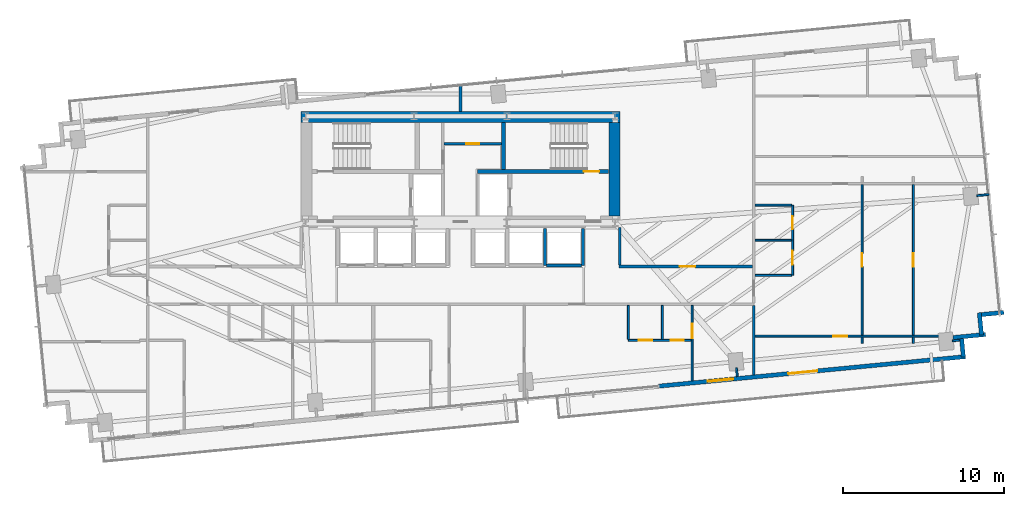
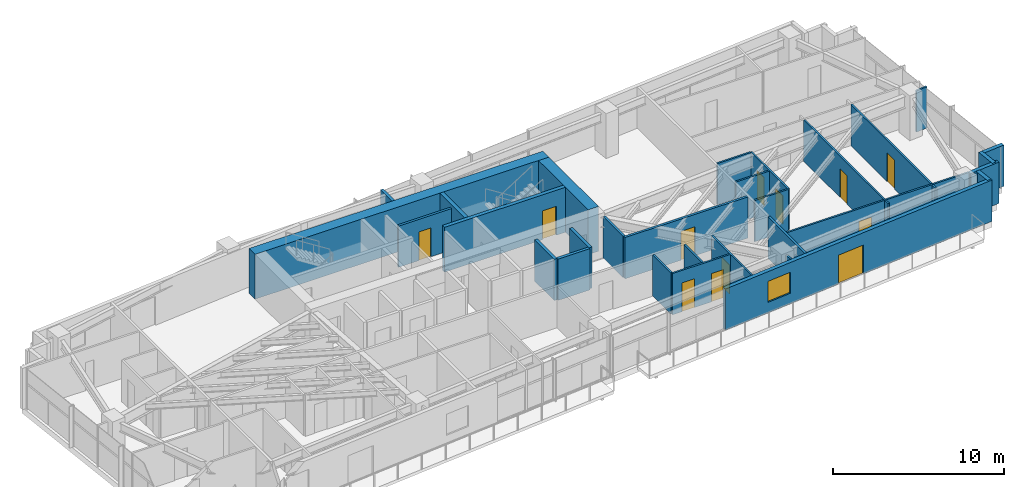
# One storey, part 21 of 25: 33 walls, 12 doors, 1 window, 13 openings.
"""IFC4 building model written with IfcOpenShell, lengths in metres."""

from ifc_helpers import new_model, si_unit, direction, frame, frame_2d, origin, place, context, subcontext, project, spatial, rectangle, extrude, source, transform, mapped, material, layer, layer_set, type_object, type_shapes, element, fill, save


model = new_model("IFC4")

# Units and contexts
model_context = context("Model", 3, precision=1e-05, world=origin(), true_north=direction((0.0, 1.0)))
body_context = subcontext(model_context, "Body", "Model", "MODEL_VIEW")
ifc_project = project(units=[si_unit("LENGTHUNIT", "METRE"), si_unit("AREAUNIT", "SQUARE_METRE"), si_unit("VOLUMEUNIT", "CUBIC_METRE"), si_unit("PLANEANGLEUNIT", "RADIAN"), si_unit("MASSUNIT", "GRAM", prefix="KILO")], contexts=[model_context])

# Site, building, storey
site_placement = place(None, origin())
site = spatial("IfcSite", under=ifc_project, at=site_placement, CompositionType="ELEMENT")
building_placement = place(site_placement, origin())
building = spatial("IfcBuilding", under=site, at=building_placement, Name="Astriad Promenade Condominiums", CompositionType="ELEMENT")
storey_placement = place(building_placement, frame((0.0, 0.0, 77.800048828125)))
storey = spatial("IfcBuildingStorey", under=building, at=storey_placement, Name="L21", CompositionType="ELEMENT", Elevation=77.800048828125)

# Walls
ifc_material_1 = material(Name="Concrete C60/75", Category="concrete")
ifc_layer_1 = layer(ifc_material_1, 0.699951171875)
ifc_layer_set_1 = layer_set([ifc_layer_1], Name="Concrete C60/75")
wall_type_1 = type_object("IfcWallType", Name="CW-SHEAR-700", PredefinedType="SHEAR", material=ifc_layer_set_1)
wall_1_placement = place(storey_placement, frame((26.10009765625, 23.949951171875, 0.0), z_axis=(0.0, 0.0, 1.0), x_axis=(1.0, 0.0, 0.0)))
element("IfcWall", 1, at=wall_1_placement, inside=storey, type_object=wall_type_1, Name="CW-CORE-N-L21", PredefinedType="SHEAR", context=body_context, shape_type="SweptSolid", body=[
    extrude(rectangle(XDim=19.7998046875, YDim=0.699951171875, at=frame_2d((9.89990234375, 0.0))), origin(), (0.0, 0.0, 1.0), 3.199951171875),
])
wall_2_placement = place(storey_placement, frame((45.550048828125, 17.802001953125, 0.0), z_axis=(0.0, 0.0, 1.0), x_axis=(0.0, 1.0, 0.0)))
element("IfcWall", 2, at=wall_2_placement, inside=storey, type_object=wall_type_1, Name="CW-CORE-E-L21", PredefinedType="SHEAR", context=body_context, shape_type="SweptSolid", body=[
    extrude(rectangle(XDim=5.7958984375, YDim=0.699951171875, at=frame_2d((2.89794921875, 0.0))), origin(), (0.0, 0.0, 1.0), 3.199951171875),
])

# Wall, opening, door
ifc_material_2 = material(Name="Concrete C50/60", Category="concrete")
ifc_layer_2 = layer(ifc_material_2, 0.25)
ifc_layer_set_2 = layer_set([ifc_layer_2], Name="Concrete C50/60")
wall_type_2 = type_object("IfcWallType", Name="WALL-CORE-INT-250", PredefinedType="SOLIDWALL", material=ifc_layer_set_2)
wall_3_placement = place(storey_placement, frame((37.050048828125, 20.574951171875, 0.0), z_axis=(0.0, 0.0, 1.0), x_axis=(1.0, 0.0, 0.0)))
wall_3 = element("IfcWall", 3, at=wall_3_placement, inside=storey, type_object=wall_type_2, Name="CW-INT-H2-L21", PredefinedType="SOLIDWALL", context=body_context, shape_type="SweptSolid", body=[
    extrude(rectangle(XDim=8.14794921875, YDim=0.25, at=frame_2d((4.073974609375, 0.0))), origin(), (0.0, 0.0, 1.0), 3.199951171875),
])
opening_1_placement = place(wall_3_placement, frame((6.60009765625, 0.0, 0.0)))
opening_1 = element("IfcOpeningElement", 4, at=opening_1_placement, cuts=wall_3, Name="Opening FD90-ST-095", PredefinedType="OPENING", context=body_context, shape_type="SweptSolid", body=[
    extrude(rectangle(XDim=0.949951171875, YDim=2.06005859375, at=frame_2d((0.47509765625, 1.030029296875))), frame((0.0, 0.135009765625, 0.0), z_axis=(0.0, -1.0, 0.0), x_axis=(1.0, 0.0, 0.0)), (0.0, 0.0, 1.0), 0.27001953125),
])
ifc_material_3 = material(Name="Fire-Rated Hollow Metal Stair Door")
door_type_1 = type_object("IfcDoorType", Name="FD90-ST-095", OperationType="NOTDEFINED", PredefinedType="DOOR", material=ifc_material_3)
shared_shape_1 = source(origin(), body_context, "Body", "SweptSolid", [
    extrude(rectangle(XDim=0.949951171875, YDim=2.06005859375, at=frame_2d((0.47509765625, 1.030029296875))), frame((0.0, 0.02490234375, 0.0), z_axis=(0.0, -1.0, 0.0), x_axis=(1.0, 0.0, 0.0)), (0.0, 0.0, 1.0), 0.050048828125),
])
type_shapes(door_type_1, [shared_shape_1])
door_1_placement = place(opening_1_placement, origin())
door_1 = element("IfcDoor", 5, at=door_1_placement, inside=storey, type_object=door_type_1, Name="D-ST2-L21", OperationType="SINGLE_SWING_LEFT", OverallHeight=2.06005859375, OverallWidth=0.949951171875, PredefinedType="DOOR", context=body_context, shape_type="MappedRepresentation", body=[
    mapped(shared_shape_1, transform((0.0, 0.0, 0.0), scale=1.0)),
])
fill(opening_1, door_1)

# Wall
wall_4_placement = place(storey_placement, frame((38.675048828125, 20.701904296875, 0.0), z_axis=(0.0, 0.0, 1.0), x_axis=(0.0, 1.0, 0.0)))
element("IfcWall", 6, at=wall_4_placement, inside=storey, type_object=wall_type_2, Name="CW-ST2-W-L21", PredefinedType="SOLIDWALL", context=body_context, shape_type="SweptSolid", body=[
    extrude(rectangle(XDim=2.89599609375, YDim=0.25, at=frame_2d((1.447998046875, 0.0))), origin(), (0.0, 0.0, 1.0), 3.199951171875),
])

# Wall, opening, door
ifc_material_4 = material(Name="Fire-Rated Gypsum Partition")
ifc_layer_3 = layer(ifc_material_4, 0.159912109375)
ifc_layer_set_3 = layer_set([ifc_layer_3], Name="Fire-Rated Gypsum Partition")
wall_type_3 = type_object("IfcWallType", Name="WALL-CORR-160", PredefinedType="PARTITIONING", material=ifc_layer_set_3)
wall_5_placement = place(storey_placement, frame((34.98193359375, 22.300048828125, 0.0), z_axis=(0.0, 0.0, 1.0), x_axis=(1.0, 0.0, 0.0)))
wall_5 = element("IfcWall", 7, at=wall_5_placement, inside=storey, type_object=wall_type_3, Name="CW-AUX-N-L21", PredefinedType="PARTITIONING", context=body_context, shape_type="SweptSolid", body=[
    extrude(rectangle(XDim=3.566162109375, YDim=0.159912109375, at=frame_2d((1.783203125, 0.0))), origin(), (0.0, 0.0, 1.0), 2.93994140625),
])
opening_2_placement = place(wall_5_placement, frame((1.3779296875, 0.0, 0.0)))
opening_2 = element("IfcOpeningElement", 8, at=opening_2_placement, cuts=wall_5, Name="Opening FD60-SV-080", PredefinedType="OPENING", context=body_context, shape_type="SweptSolid", body=[
    extrude(rectangle(XDim=0.800048828125, YDim=2.050048828125, at=frame_2d((0.39990234375, 1.02490234375))), frame((0.0, 0.08984375, 0.0), z_axis=(0.0, -1.0, 0.0), x_axis=(1.0, 0.0, 0.0)), (0.0, 0.0, 1.0), 0.179931640625),
])
ifc_material_5 = material(Name="Fire-Rated Riser Closet Door")
door_type_2 = type_object("IfcDoorType", Name="FD60-SV-080", OperationType="NOTDEFINED", PredefinedType="DOOR", material=ifc_material_5)
shared_shape_2 = source(origin(), body_context, "Body", "SweptSolid", [
    extrude(rectangle(XDim=0.800048828125, YDim=2.050048828125, at=frame_2d((0.39990234375, 1.02490234375))), frame((0.0, 0.02490234375, 0.0), z_axis=(0.0, -1.0, 0.0), x_axis=(1.0, 0.0, 0.0)), (0.0, 0.0, 1.0), 0.050048828125),
])
type_shapes(door_type_2, [shared_shape_2])
door_2_placement = place(opening_2_placement, origin())
door_2 = element("IfcDoor", 9, at=door_2_placement, inside=storey, type_object=door_type_2, Name="D-AUX2-L21", OperationType="SINGLE_SWING_LEFT", OverallHeight=2.050048828125, OverallWidth=0.800048828125, PredefinedType="DOOR", context=body_context, shape_type="MappedRepresentation", body=[
    mapped(shared_shape_2, transform((0.0, 0.0, 0.0), scale=1.0)),
])
fill(opening_2, door_2)

# Wall
wall_6_placement = place(storey_placement, frame((54.199951171875, 7.961181640625, 0.0), z_axis=(0.0, 0.0, 1.0), x_axis=(0.0, 1.0, 0.0)))
element("IfcWall", 10, at=wall_6_placement, inside=storey, type_object=wall_type_3, Name="PT-COR-E-L21", PredefinedType="PARTITIONING", context=body_context, shape_type="SweptSolid", body=[
    extrude(rectangle(XDim=4.306884765625, YDim=0.159912109375, at=frame_2d((2.1533203125, 0.0))), origin(), (0.0, 0.0, 1.0), 2.93994140625),
])

# Wall, opening, door
wall_7_placement = place(storey_placement, frame((45.840087890625, 14.679931640625, 0.0), z_axis=(0.0, 0.0, 1.0), x_axis=(1.0, 0.0, 0.0)))
wall_7 = element("IfcWall", 11, at=wall_7_placement, inside=storey, type_object=wall_type_3, Name="PT-FLK-NE-L21", PredefinedType="PARTITIONING", context=body_context, shape_type="SweptSolid", body=[
    extrude(rectangle(XDim=8.27783203125, YDim=0.159912109375, at=frame_2d((4.138916015625, 0.0))), origin(), (0.0, 0.0, 1.0), 2.93994140625),
])
opening_3_placement = place(wall_7_placement, frame((3.764892578125, 0.0, 0.0)))
opening_3 = element("IfcOpeningElement", 12, at=opening_3_placement, cuts=wall_7, Name="Opening FD60-APT-095", PredefinedType="OPENING", context=body_context, shape_type="SweptSolid", body=[
    extrude(rectangle(XDim=0.949951171875, YDim=2.06005859375, at=frame_2d((0.47509765625, 1.030029296875))), frame((0.0, 0.08984375, 0.0), z_axis=(0.0, -1.0, 0.0), x_axis=(1.0, 0.0, 0.0)), (0.0, 0.0, 1.0), 0.179931640625),
])
ifc_material_6 = material(Name="Solid-Core Acoustic Timber Residence Entry Door", Category="wood")
door_type_3 = type_object("IfcDoorType", Name="FD60-APT-095", OperationType="NOTDEFINED", PredefinedType="DOOR", material=ifc_material_6)
shared_shape_3 = source(origin(), body_context, "Body", "SweptSolid", [
    extrude(rectangle(XDim=0.949951171875, YDim=2.06005859375, at=frame_2d((0.47509765625, 1.030029296875))), frame((0.0, 0.02490234375, 0.0), z_axis=(0.0, -1.0, 0.0), x_axis=(1.0, 0.0, 0.0)), (0.0, 0.0, 1.0), 0.050048828125),
])
type_shapes(door_type_3, [shared_shape_3])
door_3_placement = place(opening_3_placement, origin())
door_3 = element("IfcDoor", 13, at=door_3_placement, inside=storey, type_object=door_type_3, Name="D-NEA-L21", OperationType="SINGLE_SWING_RIGHT", OverallHeight=2.06005859375, OverallWidth=0.949951171875, PredefinedType="DOOR", context=body_context, shape_type="MappedRepresentation", body=[
    mapped(shared_shape_3, transform((0.0, 0.0, 0.0), scale=1.0)),
])
fill(opening_3, door_3)

# Walls
wall_8_placement = place(storey_placement, frame((45.8798828125, 14.761962890625, 0.0), z_axis=(0.0, 0.0, 1.0), x_axis=(0.0, 1.0, 0.0)))
element("IfcWall", 14, at=wall_8_placement, inside=storey, type_object=wall_type_3, Name="PT-ESPUR-E-L21", PredefinedType="PARTITIONING", context=body_context, shape_type="SweptSolid", body=[
    extrude(rectangle(XDim=2.3359375, YDim=0.159912109375, at=frame_2d((1.16796875, 0.0))), origin(), (0.0, 0.0, 1.0), 2.93994140625),
])
ifc_material_7 = material(Name="Acoustic Double-Stud Gypsum Partition")
ifc_layer_4 = layer(ifc_material_7, 0.199951171875)
ifc_layer_set_4 = layer_set([ifc_layer_4], Name="Acoustic Double-Stud Gypsum Partition")
wall_type_4 = type_object("IfcWallType", Name="WALL-DEMISING-200", PredefinedType="PARTITIONING", material=ifc_layer_set_4)
wall_9_placement = place(storey_placement, frame((36.0, 24.302001953125, 0.0), z_axis=(0.0, 0.0, 1.0), x_axis=(0.0, 1.0, 0.0)))
element("IfcWall", 15, at=wall_9_placement, inside=storey, type_object=wall_type_4, Name="PT-NC-MID-L21", PredefinedType="PARTITIONING", context=body_context, shape_type="SweptSolid", body=[
    extrude(rectangle(XDim=1.65576171875, YDim=0.199951171875, at=frame_2d((0.827880859375, 0.0))), origin(), (0.0, 0.0, 1.0), 2.93994140625),
])
ifc_material_8 = material(Name="Precast concrete C50/60", Category="concrete")
ifc_layer_5 = layer(ifc_material_8, 0.260009765625)
ifc_layer_set_5 = layer_set([ifc_layer_5], Name="Precast concrete C50/60")
wall_type_5 = type_object("IfcWallType", Name="WALL-EXT-TWR-260", PredefinedType="STANDARD", material=ifc_layer_set_5)
for number, where, z_axis, x_axis, name in (
    (16, (69.698486328125, 11.83251953125, 0.0), (0.0, 0.0, 1.0), (-0.99540614245, -0.095742423056, 0.0), "W-SER-L21-14"),
    (17, (68.18310546875, 11.817138671875, 0.0), (0.0, 0.0, 1.0), (0.095915846097, -0.995389446633, 0.0), "W-SER-L21-15"),
):
    element("IfcWall", number, at=place(storey_placement, frame(where, z_axis=z_axis, x_axis=x_axis)), inside=storey, type_object=wall_type_5, Name=name, PredefinedType="STANDARD", context=body_context, shape_type="SweptSolid", body=[
        extrude(rectangle(XDim=1.394775390625, YDim=0.260009765625, at=frame_2d((0.697265625, 0.0))), origin(), (0.0, 0.0, 1.0), 2.93994140625),
    ])
wall_10_placement = place(storey_placement, frame((68.57421875, 10.468505859375, 0.0), z_axis=(0.0, 0.0, 1.0), x_axis=(-0.99539865733, -0.095820211783, 0.0)))
element("IfcWall", 18, at=wall_10_placement, inside=storey, type_object=wall_type_5, Name="W-SER-L21-16", PredefinedType="STANDARD", context=body_context, shape_type="SweptSolid", body=[
    extrude(rectangle(XDim=2.028076171875, YDim=0.260009765625, at=frame_2d((1.01416015625, 0.0))), origin(), (0.0, 0.0, 1.0), 2.93994140625),
])
wall_11_placement = place(storey_placement, frame((67.082275390625, 10.209228515625, 0.0), z_axis=(0.0, 0.0, 1.0), x_axis=(0.09576095695, -0.995404359607, 0.0)))
element("IfcWall", 19, at=wall_11_placement, inside=storey, type_object=wall_type_5, Name="W-SER-L21-17", PredefinedType="STANDARD", context=body_context, shape_type="SweptSolid", body=[
    extrude(rectangle(XDim=1.14990234375, YDim=0.260009765625, at=frame_2d((0.574951171875, 0.0))), origin(), (0.0, 0.0, 1.0), 2.93994140625),
])

# Wall, openings, door, window
wall_12_placement = place(storey_placement, frame((67.3203125, 9.092041015625, 0.0), z_axis=(0.0, 0.0, 1.0), x_axis=(-0.995396521236, -0.095842399342, 0.0)))
wall_12 = element("IfcWall", 20, at=wall_12_placement, inside=storey, type_object=wall_type_5, Name="W-EXT-L21-S1", PredefinedType="STANDARD", context=body_context, shape_type="SweptSolid", body=[
    extrude(rectangle(XDim=19.10986328125, YDim=0.260009765625, at=frame_2d((9.554931640625, 0.0))), origin(), (0.0, 0.0, 1.0), 2.93994140625),
])
opening_4_placement = place(wall_12_placement, frame((9.22412109375, 0.0, 0.0)))
opening_4 = element("IfcOpeningElement", 21, at=opening_4_placement, cuts=wall_12, Name="Opening BD-1822-SLD", PredefinedType="OPENING", context=body_context, shape_type="SweptSolid", body=[
    extrude(rectangle(XDim=1.800048828125, YDim=2.06005859375, at=frame_2d((0.89990234375, 1.030029296875))), frame((0.0, 0.139892578125, 0.0), z_axis=(0.0, -1.0, 0.0), x_axis=(1.0, 0.0, 0.0)), (0.0, 0.0, 1.0), 0.280029296875),
])
opening_5_placement = place(wall_12_placement, frame((14.465087890625, 0.0, 0.75)))
opening_5 = element("IfcOpeningElement", 22, at=opening_5_placement, cuts=wall_12, Name="Opening WIN-TWR-1620", PredefinedType="OPENING", context=body_context, shape_type="SweptSolid", body=[
    extrude(rectangle(XDim=1.60009765625, YDim=1.5, at=frame_2d((0.800048828125, 0.75))), frame((0.0, 0.139892578125, 0.0), z_axis=(0.0, -1.0, 0.0), x_axis=(1.0, 0.0, 0.0)), (0.0, 0.0, 1.0), 0.280029296875),
])
ifc_material_9 = material(Name="Thermally Broken Aluminium Sliding Balcony Door", Category="aluminium")
door_type_4 = type_object("IfcDoorType", Name="BD-1822-SLD", OperationType="NOTDEFINED", PredefinedType="DOOR", material=ifc_material_9)
shared_shape_4 = source(origin(), body_context, "Body", "SweptSolid", [
    extrude(rectangle(XDim=1.800048828125, YDim=2.06005859375, at=frame_2d((0.89990234375, 1.030029296875))), frame((0.0, 0.02490234375, 0.0), z_axis=(0.0, -1.0, 0.0), x_axis=(1.0, 0.0, 0.0)), (0.0, 0.0, 1.0), 0.050048828125),
])
type_shapes(door_type_4, [shared_shape_4])
door_4_placement = place(opening_4_placement, origin())
door_4 = element("IfcDoor", 23, at=door_4_placement, inside=storey, type_object=door_type_4, Name="BD-L21-SE", OperationType="SLIDING_TO_RIGHT", OverallHeight=2.06005859375, OverallWidth=1.800048828125, PredefinedType="DOOR", context=body_context, shape_type="MappedRepresentation", body=[
    mapped(shared_shape_4, transform((0.0, 0.0, 0.0), scale=1.0)),
])
fill(opening_4, door_4)
ifc_material_10 = material(Name="Dark Tinted Triple-Glazed Aluminium Window", Category="aluminium")
window_type = type_object("IfcWindowType", Name="WIN-TWR-1620", PartitioningType="SINGLE_PANEL", PredefinedType="WINDOW", material=ifc_material_10)
shared_shape_5 = source(origin(), body_context, "Body", "SweptSolid", [
    extrude(rectangle(XDim=1.60009765625, YDim=1.5, at=frame_2d((0.800048828125, 0.75))), frame((0.0, 0.030029296875, 0.0), z_axis=(0.0, -1.0, 0.0), x_axis=(1.0, 0.0, 0.0)), (0.0, 0.0, 1.0), 0.06005859375),
])
type_shapes(window_type, [shared_shape_5])
window_placement = place(opening_5_placement, origin())
window = element("IfcWindow", 24, at=window_placement, inside=storey, type_object=window_type, Name="WIN-DW-L21-S2-BD1", OverallHeight=1.5, OverallWidth=1.60009765625, PartitioningType="SINGLE_PANEL", PredefinedType="WINDOW", context=body_context, shape_type="MappedRepresentation", body=[
    mapped(shared_shape_5, transform((0.0, 0.0, 0.0), scale=1.0)),
])
fill(opening_5, window)

# Wall, opening, door
ifc_material_11 = material(Name="Acoustic Metal-Stud Gypsum Partition")
ifc_layer_6 = layer(ifc_material_11, 0.1201171875)
ifc_layer_set_6 = layer_set([ifc_layer_6], Name="Acoustic Metal-Stud Gypsum Partition")
wall_type_6 = type_object("IfcWallType", Name="WALL-PART-120", PredefinedType="PARTITIONING", material=ifc_layer_set_6)
wall_13_placement = place(storey_placement, frame((50.3701171875, 7.592529296875, 0.0), z_axis=(0.0, 0.0, 1.0), x_axis=(0.0, 1.0, 0.0)))
wall_13 = element("IfcWall", 25, at=wall_13_placement, inside=storey, type_object=wall_type_6, Name="PT-L21-S2-BD1", PredefinedType="PARTITIONING", context=body_context, shape_type="SweptSolid", body=[
    extrude(rectangle(XDim=4.675537109375, YDim=0.1201171875, at=frame_2d((2.337890625, 0.0))), origin(), (0.0, 0.0, 1.0), 2.93994140625),
])
opening_6_placement = place(wall_13_placement, frame((2.632568359375, 0.0, 0.0)))
opening_6 = element("IfcOpeningElement", 26, at=opening_6_placement, cuts=wall_13, Name="Opening D-INT-090", PredefinedType="OPENING", context=body_context, shape_type="SweptSolid", body=[
    extrude(rectangle(XDim=0.89990234375, YDim=2.050048828125, at=frame_2d((0.449951171875, 1.02490234375))), frame((0.0, 0.070068359375, 0.0), z_axis=(0.0, -1.0, 0.0), x_axis=(1.0, 0.0, 0.0)), (0.0, 0.0, 1.0), 0.14013671875),
])
ifc_material_12 = material(Name="Painted Solid-Core Timber Bedroom Door", Category="wood")
door_type_5 = type_object("IfcDoorType", Name="D-INT-090", OperationType="NOTDEFINED", PredefinedType="DOOR", material=ifc_material_12)
shared_shape_6 = source(origin(), body_context, "Body", "SweptSolid", [
    extrude(rectangle(XDim=0.89990234375, YDim=2.050048828125, at=frame_2d((0.449951171875, 1.02490234375))), frame((0.0, 0.02490234375, 0.0), z_axis=(0.0, -1.0, 0.0), x_axis=(1.0, 0.0, 0.0)), (0.0, 0.0, 1.0), 0.050048828125),
])
type_shapes(door_type_5, [shared_shape_6])
door_5_placement = place(opening_6_placement, origin())
door_5 = element("IfcDoor", 27, at=door_5_placement, inside=storey, type_object=door_type_5, Name="D-BD1-L21-S2", OperationType="SINGLE_SWING_RIGHT", OverallHeight=2.050048828125, OverallWidth=0.89990234375, PredefinedType="DOOR", context=body_context, shape_type="MappedRepresentation", body=[
    mapped(shared_shape_6, transform((0.0, 0.0, 0.0), scale=1.0)),
])
fill(opening_6, door_5)

# Wall, openings, doors
wall_14_placement = place(storey_placement, frame((46.419921875, 10.10009765625, 0.0), z_axis=(0.0, 0.0, 1.0), x_axis=(1.0, 0.0, 0.0)))
wall_14 = element("IfcWall", 28, at=wall_14_placement, inside=storey, type_object=wall_type_6, Name="PT-L21-S2-PS", PredefinedType="PARTITIONING", context=body_context, shape_type="SweptSolid", body=[
    extrude(rectangle(XDim=3.88818359375, YDim=0.1201171875, at=frame_2d((1.944091796875, 0.0))), origin(), (0.0, 0.0, 1.0), 2.93994140625),
])
opening_7_placement = place(wall_14_placement, frame((0.625, 0.0, 0.0)))
opening_7 = element("IfcOpeningElement", 29, at=opening_7_placement, cuts=wall_14, Name="Opening D-INT-085", PredefinedType="OPENING", context=body_context, shape_type="SweptSolid", body=[
    extrude(rectangle(XDim=0.85009765625, YDim=2.050048828125, at=frame_2d((0.425048828125, 1.02490234375))), frame((0.0, 0.070068359375, 0.0), z_axis=(0.0, -1.0, 0.0), x_axis=(1.0, 0.0, 0.0)), (0.0, 0.0, 1.0), 0.14013671875),
])
opening_8_placement = place(wall_14_placement, frame((2.625, 0.0, 0.0)))
opening_8 = element("IfcOpeningElement", 30, at=opening_8_placement, cuts=wall_14, Name="Opening D-WET-080", PredefinedType="OPENING", context=body_context, shape_type="SweptSolid", body=[
    extrude(rectangle(XDim=0.800048828125, YDim=2.02001953125, at=frame_2d((0.39990234375, 1.010009765625))), frame((0.0, 0.070068359375, 0.0), z_axis=(0.0, -1.0, 0.0), x_axis=(1.0, 0.0, 0.0)), (0.0, 0.0, 1.0), 0.14013671875),
])
ifc_material_13 = material(Name="Moisture-Resistant Timber Bathroom Door", Category="wood")
door_type_6 = type_object("IfcDoorType", Name="D-WET-080", OperationType="NOTDEFINED", PredefinedType="DOOR", material=ifc_material_13)
shared_shape_7 = source(origin(), body_context, "Body", "SweptSolid", [
    extrude(rectangle(XDim=0.800048828125, YDim=2.02001953125, at=frame_2d((0.39990234375, 1.010009765625))), frame((0.0, 0.02490234375, 0.0), z_axis=(0.0, -1.0, 0.0), x_axis=(1.0, 0.0, 0.0)), (0.0, 0.0, 1.0), 0.050048828125),
])
type_shapes(door_type_6, [shared_shape_7])
door_6_placement = place(opening_8_placement, origin())
door_6 = element("IfcDoor", 31, at=door_6_placement, inside=storey, type_object=door_type_6, Name="D-BTH-L21-S2", OperationType="SINGLE_SWING_RIGHT", OverallHeight=2.02001953125, OverallWidth=0.800048828125, PredefinedType="DOOR", context=body_context, shape_type="MappedRepresentation", body=[
    mapped(shared_shape_7, transform((0.0, 0.0, 0.0), scale=1.0)),
])
fill(opening_8, door_6)
ifc_material_14 = material(Name="Painted Solid-Core Timber Room Door", Category="wood")
door_type_7 = type_object("IfcDoorType", Name="D-INT-085", OperationType="NOTDEFINED", PredefinedType="DOOR", material=ifc_material_14)
shared_shape_8 = source(origin(), body_context, "Body", "SweptSolid", [
    extrude(rectangle(XDim=0.85009765625, YDim=2.050048828125, at=frame_2d((0.425048828125, 1.02490234375))), frame((0.0, 0.02490234375, 0.0), z_axis=(0.0, -1.0, 0.0), x_axis=(1.0, 0.0, 0.0)), (0.0, 0.0, 1.0), 0.050048828125),
])
type_shapes(door_type_7, [shared_shape_8])
door_7_placement = place(opening_7_placement, origin())
door_7 = element("IfcDoor", 32, at=door_7_placement, inside=storey, type_object=door_type_7, Name="D-KIT-L21-S2", OperationType="SINGLE_SWING_LEFT", OverallHeight=2.050048828125, OverallWidth=0.85009765625, PredefinedType="DOOR", context=body_context, shape_type="MappedRepresentation", body=[
    mapped(shared_shape_8, transform((0.0, 0.0, 0.0), scale=1.0)),
])
fill(opening_7, door_7)

# Walls
for number, where, z_axis, x_axis, name in (
    (33, (48.52001953125, 10.162109375, 0.0), (0.0, 0.0, 1.0), (0.0, 1.0, 0.0), "PT-L21-S2-PBK"),
    (34, (46.419921875, 10.162109375, 0.0), (0.0, 0.0, 1.0), (0.0, 1.0, 0.0), "PT-L21-S2-PKW"),
):
    element("IfcWall", number, at=place(storey_placement, frame(where, z_axis=z_axis, x_axis=x_axis)), inside=storey, type_object=wall_type_6, Name=name, PredefinedType="PARTITIONING", context=body_context, shape_type="SweptSolid", body=[
        extrude(rectangle(XDim=2.10595703125, YDim=0.1201171875, at=frame_2d((1.052978515625, 0.0))), origin(), (0.0, 0.0, 1.0), 2.93994140625),
    ])

# Wall, openings, doors
wall_15_placement = place(storey_placement, frame((56.60009765625, 14.135986328125, 0.0), z_axis=(0.0, 0.0, 1.0), x_axis=(0.0, 1.0, 0.0)))
wall_15 = element("IfcWall", 35, at=wall_15_placement, inside=storey, type_object=wall_type_6, Name="PT-L21-E1-PV", PredefinedType="PARTITIONING", context=body_context, shape_type="SweptSolid", body=[
    extrude(rectangle(XDim=4.35009765625, YDim=0.1201171875, at=frame_2d((2.175048828125, 0.0))), origin(), (0.0, 0.0, 1.0), 2.93994140625),
])
opening_9_placement = place(wall_15_placement, frame((0.662109375, 0.0, 0.0)))
opening_9 = element("IfcOpeningElement", 36, at=opening_9_placement, cuts=wall_15, Name="Opening D-INT-085", PredefinedType="OPENING", context=body_context, shape_type="SweptSolid", body=[
    extrude(rectangle(XDim=0.85009765625, YDim=2.050048828125, at=frame_2d((0.425048828125, 1.02490234375))), frame((0.0, 0.070068359375, 0.0), z_axis=(0.0, -1.0, 0.0), x_axis=(1.0, 0.0, 0.0)), (0.0, 0.0, 1.0), 0.14013671875),
])
opening_10_placement = place(wall_15_placement, frame((2.862060546875, 0.0, 0.0)))
opening_10 = element("IfcOpeningElement", 37, at=opening_10_placement, cuts=wall_15, Name="Opening D-WET-080", PredefinedType="OPENING", context=body_context, shape_type="SweptSolid", body=[
    extrude(rectangle(XDim=0.800048828125, YDim=2.02001953125, at=frame_2d((0.39990234375, 1.010009765625))), frame((0.0, 0.070068359375, 0.0), z_axis=(0.0, -1.0, 0.0), x_axis=(1.0, 0.0, 0.0)), (0.0, 0.0, 1.0), 0.14013671875),
])
door_8_placement = place(opening_10_placement, origin())
door_8 = element("IfcDoor", 38, at=door_8_placement, inside=storey, type_object=door_type_6, Name="D-BTH-L21-E1", OperationType="SINGLE_SWING_LEFT", OverallHeight=2.02001953125, OverallWidth=0.800048828125, PredefinedType="DOOR", context=body_context, shape_type="MappedRepresentation", body=[
    mapped(shared_shape_7, transform((0.0, 0.0, 0.0), scale=1.0)),
])
fill(opening_10, door_8)
door_9_placement = place(opening_9_placement, origin())
door_9 = element("IfcDoor", 39, at=door_9_placement, inside=storey, type_object=door_type_7, Name="D-KIT-L21-E1", OperationType="SINGLE_SWING_RIGHT", OverallHeight=2.050048828125, OverallWidth=0.85009765625, PredefinedType="DOOR", context=body_context, shape_type="MappedRepresentation", body=[
    mapped(shared_shape_8, transform((0.0, 0.0, 0.0), scale=1.0)),
])
fill(opening_9, door_9)

# Walls
for number, where, z_axis, x_axis, name in (
    (40, (54.281982421875, 16.31103515625, 0.0), (0.0, 0.0, 1.0), (1.0, 0.0, 0.0), "PT-L21-E1-PM"),
    (41, (54.281982421875, 14.135986328125, 0.0), (0.0, 0.0, 1.0), (1.0, 0.0, 0.0), "PT-L21-E1-PS"),
    (42, (54.281982421875, 18.486083984375, 0.0), (0.0, 0.0, 1.0), (1.0, 0.0, 0.0), "PT-L21-E1-PN"),
):
    element("IfcWall", number, at=place(storey_placement, frame(where, z_axis=z_axis, x_axis=x_axis)), inside=storey, type_object=wall_type_6, Name=name, PredefinedType="PARTITIONING", context=body_context, shape_type="SweptSolid", body=[
        extrude(rectangle(XDim=2.256103515625, YDim=0.1201171875, at=frame_2d((1.1279296875, 0.0))), origin(), (0.0, 0.0, 1.0), 2.93994140625),
    ])

# Wall, opening, door
wall_16_placement = place(storey_placement, frame((54.281982421875, 10.362060546875, 0.0), z_axis=(0.0, 0.0, 1.0), x_axis=(1.0, 0.0, 0.0)))
wall_16 = element("IfcWall", 43, at=wall_16_placement, inside=storey, type_object=wall_type_6, Name="PT-L21-E1-WDS2", PredefinedType="PARTITIONING", context=body_context, shape_type="SweptSolid", body=[
    extrude(rectangle(XDim=12.264892578125, YDim=0.1201171875, at=frame_2d((6.13232421875, 0.0))), origin(), (0.0, 0.0, 1.0), 2.93994140625),
])
opening_11_placement = place(wall_16_placement, frame((4.85302734375, 0.0, 0.0)))
opening_11 = element("IfcOpeningElement", 44, at=opening_11_placement, cuts=wall_16, Name="Opening D-INT-085", PredefinedType="OPENING", context=body_context, shape_type="SweptSolid", body=[
    extrude(rectangle(XDim=0.85009765625, YDim=2.050048828125, at=frame_2d((0.425048828125, 1.02490234375))), frame((0.0, 0.070068359375, 0.0), z_axis=(0.0, -1.0, 0.0), x_axis=(1.0, 0.0, 0.0)), (0.0, 0.0, 1.0), 0.14013671875),
])
door_10_placement = place(opening_11_placement, origin())
door_10 = element("IfcDoor", 45, at=door_10_placement, inside=storey, type_object=door_type_7, Name="D-WDS2-L21-E1", OperationType="SINGLE_SWING_LEFT", OverallHeight=2.050048828125, OverallWidth=0.85009765625, PredefinedType="DOOR", context=body_context, shape_type="MappedRepresentation", body=[
    mapped(shared_shape_8, transform((0.0, 0.0, 0.0), scale=1.0)),
])
fill(opening_11, door_10)

# Wall
wall_17_placement = place(storey_placement, frame((64.091064453125, 9.922119140625, 0.0), z_axis=(0.0, 0.0, 1.0), x_axis=(0.0, 1.0, 0.0)))
element("IfcWall", 46, at=wall_17_placement, inside=storey, type_object=wall_type_6, Name="PT-L21-E1-WDV4", PredefinedType="PARTITIONING", context=body_context, shape_type="SweptSolid", body=[
    extrude(rectangle(XDim=0.3779296875, YDim=0.1201171875, at=frame_2d((0.18896484375, 0.0))), origin(), (0.0, 0.0, 1.0), 2.93994140625),
])

# Wall, opening, door
wall_18_placement = place(storey_placement, frame((64.091064453125, 10.424072265625, 0.0), z_axis=(0.0, 0.0, 1.0), x_axis=(0.0, 1.0, 0.0)))
wall_18 = element("IfcWall", 47, at=wall_18_placement, inside=storey, type_object=wall_type_6, Name="PT-L21-E1-WDV4-S2", PredefinedType="PARTITIONING", context=body_context, shape_type="SweptSolid", body=[
    extrude(rectangle(XDim=9.33203125, YDim=0.1201171875, at=frame_2d((4.666015625, 0.0))), origin(), (0.0, 0.0, 1.0), 2.93994140625),
])
opening_12_placement = place(wall_18_placement, frame((4.240966796875, 0.0, 0.0)))
opening_12 = element("IfcOpeningElement", 48, at=opening_12_placement, cuts=wall_18, Name="Opening D-INT-085", PredefinedType="OPENING", context=body_context, shape_type="SweptSolid", body=[
    extrude(rectangle(XDim=0.85009765625, YDim=2.050048828125, at=frame_2d((0.425048828125, 1.02490234375))), frame((0.0, 0.070068359375, 0.0), z_axis=(0.0, -1.0, 0.0), x_axis=(1.0, 0.0, 0.0)), (0.0, 0.0, 1.0), 0.14013671875),
])
door_11_placement = place(opening_12_placement, origin())
door_11 = element("IfcDoor", 49, at=door_11_placement, inside=storey, type_object=door_type_7, Name="D-WDV4-L21-E1", OperationType="SINGLE_SWING_LEFT", OverallHeight=2.050048828125, OverallWidth=0.85009765625, PredefinedType="DOOR", context=body_context, shape_type="MappedRepresentation", body=[
    mapped(shared_shape_8, transform((0.0, 0.0, 0.0), scale=1.0)),
])
fill(opening_12, door_11)

# Wall
wall_19_placement = place(storey_placement, frame((60.909912109375, 9.922119140625, 0.0), z_axis=(0.0, 0.0, 1.0), x_axis=(0.0, 1.0, 0.0)))
element("IfcWall", 50, at=wall_19_placement, inside=storey, type_object=wall_type_6, Name="PT-L21-E1-WDV5", PredefinedType="PARTITIONING", context=body_context, shape_type="SweptSolid", body=[
    extrude(rectangle(XDim=0.3779296875, YDim=0.1201171875, at=frame_2d((0.18896484375, 0.0))), origin(), (0.0, 0.0, 1.0), 2.93994140625),
])

# Wall, opening, door
wall_20_placement = place(storey_placement, frame((60.909912109375, 10.424072265625, 0.0), z_axis=(0.0, 0.0, 1.0), x_axis=(0.0, 1.0, 0.0)))
wall_20 = element("IfcWall", 51, at=wall_20_placement, inside=storey, type_object=wall_type_6, Name="PT-L21-E1-WDV5-S2", PredefinedType="PARTITIONING", context=body_context, shape_type="SweptSolid", body=[
    extrude(rectangle(XDim=9.33203125, YDim=0.1201171875, at=frame_2d((4.666015625, 0.0))), origin(), (0.0, 0.0, 1.0), 2.93994140625),
])
opening_13_placement = place(wall_20_placement, frame((4.240966796875, 0.0, 0.0)))
opening_13 = element("IfcOpeningElement", 52, at=opening_13_placement, cuts=wall_20, Name="Opening D-INT-085", PredefinedType="OPENING", context=body_context, shape_type="SweptSolid", body=[
    extrude(rectangle(XDim=0.85009765625, YDim=2.050048828125, at=frame_2d((0.425048828125, 1.02490234375))), frame((0.0, 0.070068359375, 0.0), z_axis=(0.0, -1.0, 0.0), x_axis=(1.0, 0.0, 0.0)), (0.0, 0.0, 1.0), 0.14013671875),
])
door_12_placement = place(opening_13_placement, origin())
door_12 = element("IfcDoor", 53, at=door_12_placement, inside=storey, type_object=door_type_7, Name="D-WDV5-L21-E1", OperationType="SINGLE_SWING_RIGHT", OverallHeight=2.050048828125, OverallWidth=0.85009765625, PredefinedType="DOOR", context=body_context, shape_type="MappedRepresentation", body=[
    mapped(shared_shape_8, transform((0.0, 0.0, 0.0), scale=1.0)),
])
fill(opening_13, door_12)

# Walls
wall_21_placement = place(storey_placement, frame((53.121337890625, 8.39794921875, 0.0), z_axis=(0.0, 0.0, 1.0), x_axis=(0.096179204763, -0.995364034196, 0.0)))
element("IfcWall", 54, at=wall_21_placement, inside=storey, type_object=wall_type_6, Name="PT-PIL-L21-PC04-11", PredefinedType="PARTITIONING", context=body_context, shape_type="SweptSolid", body=[
    extrude(rectangle(XDim=0.5380859375, YDim=0.1201171875, at=frame_2d((0.26904296875, 0.0))), origin(), (0.0, 0.0, 1.0), 2.93994140625),
])
wall_22_placement = place(storey_placement, frame((66.5029296875, 10.068115234375, 0.0), z_axis=(0.0, 0.0, 1.0), x_axis=(0.995389482415, 0.095915474751, 0.0)))
element("IfcWall", 55, at=wall_22_placement, inside=storey, type_object=wall_type_6, Name="PT-PIL-L21-PC05-12", PredefinedType="PARTITIONING", context=body_context, shape_type="SweptSolid", body=[
    extrude(rectangle(XDim=0.458251953125, YDim=0.1201171875, at=frame_2d((0.22900390625, 0.0))), origin(), (0.0, 0.0, 1.0), 2.93994140625),
])
wall_23_placement = place(storey_placement, frame((68.026611328125, 19.07568359375, 0.0), z_axis=(0.0, 0.0, 1.0), x_axis=(0.995377786728, 0.096036772582, 0.0)))
element("IfcWall", 56, at=wall_23_placement, inside=storey, type_object=wall_type_6, Name="PT-PIL-L21-PC12-19", PredefinedType="PARTITIONING", context=body_context, shape_type="SweptSolid", body=[
    extrude(rectangle(XDim=0.760009765625, YDim=0.1201171875, at=frame_2d((0.3798828125, 0.0))), origin(), (0.0, 0.0, 1.0), 2.93994140625),
])
ifc_material_15 = material(Name="Gypsum Shaftliner Assembly")
ifc_layer_7 = layer(ifc_material_15, 0.199951171875)
ifc_layer_set_7 = layer_set([ifc_layer_7], Name="Gypsum Shaftliner Assembly")
wall_type_7 = type_object("IfcWallType", Name="WALL-SHAFT-200", PredefinedType="PARTITIONING", material=ifc_layer_set_7)
for number, where, z_axis, x_axis, name in (
    (57, (41.25, 14.75, 0.0), (0.0, 0.0, 1.0), (0.0, 1.0, 0.0), "PL-H-DIV-L21"),
    (58, (43.60009765625, 14.75, 0.0), (0.0, 0.0, 1.0), (0.0, 1.0, 0.0), "PL-E-OUT-L21"),
):
    element("IfcWall", number, at=place(storey_placement, frame(where, z_axis=z_axis, x_axis=x_axis)), inside=storey, type_object=wall_type_7, Name=name, PredefinedType="PARTITIONING", context=body_context, shape_type="SweptSolid", body=[
        extrude(rectangle(XDim=2.300048828125, YDim=0.199951171875, at=frame_2d((1.14990234375, 0.0))), origin(), (0.0, 0.0, 1.0), 2.93994140625),
    ])
wall_24_placement = place(storey_placement, frame((41.35205078125, 14.75, 0.0), z_axis=(0.0, 0.0, 1.0), x_axis=(1.0, 0.0, 0.0)))
element("IfcWall", 59, at=wall_24_placement, inside=storey, type_object=wall_type_7, Name="PL-H-FRT-L21-S2", PredefinedType="PARTITIONING", context=body_context, shape_type="SweptSolid", body=[
    extrude(rectangle(XDim=2.14599609375, YDim=0.199951171875, at=frame_2d((1.072998046875, 0.0))), origin(), (0.0, 0.0, 1.0), 2.93994140625),
])

save(model, "model.ifc")
